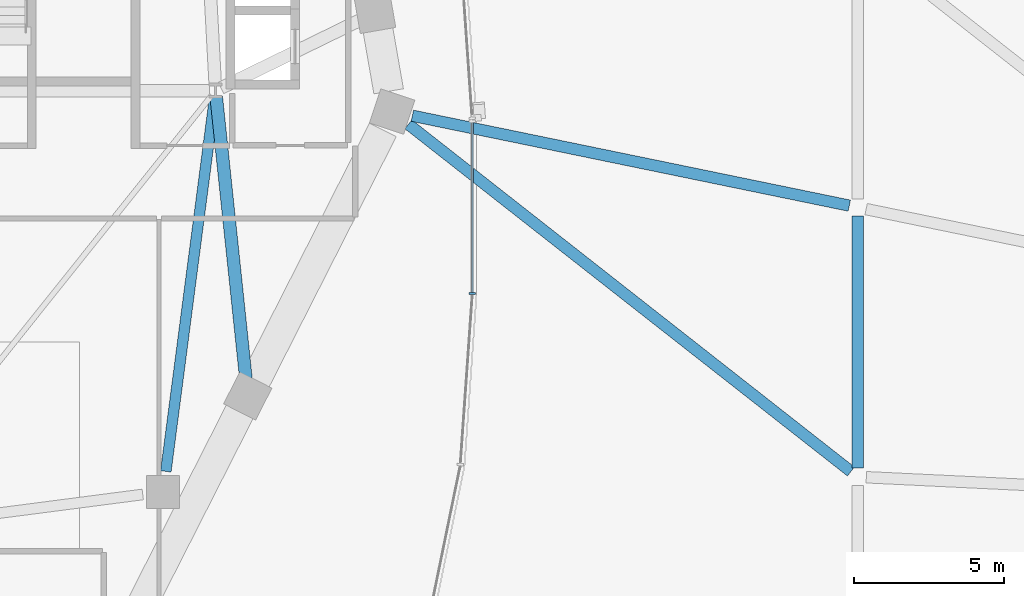
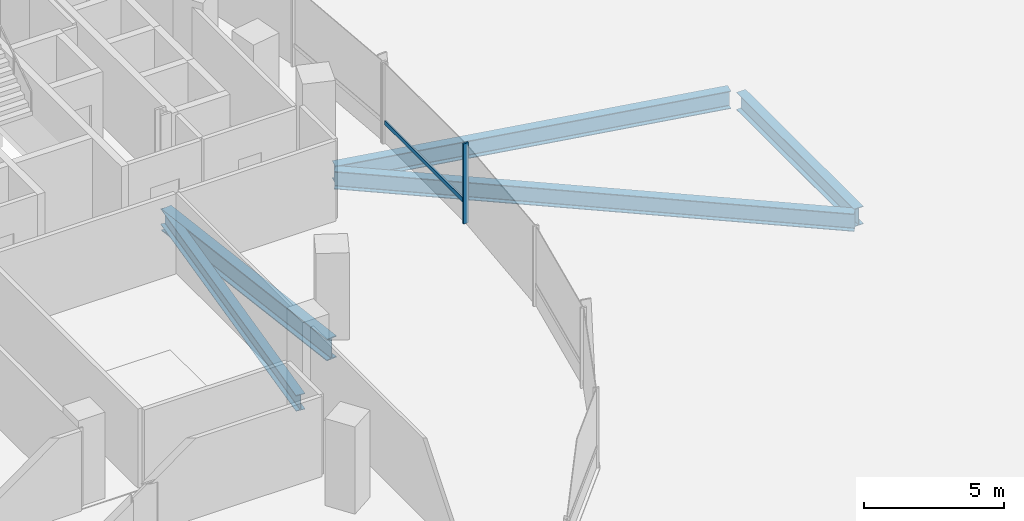
# One storey, part 5 of 28: 5 beams, 2 members, 1 element without a shape of its own.
"""IFC4 building model written with IfcOpenShell, lengths in metres."""

from ifc_helpers import new_model, si_unit, direction, frame, origin, origin_2d, place, context, subcontext, project, spatial, rectangle, i_section, extrude, material, material_profile, profile_set, type_object, element, aggregate, save


model = new_model("IFC4")

# Units and contexts
model_context = context("Model", 3, precision=1e-05, world=origin(), true_north=direction((0.0, 1.0)))
body_context = subcontext(model_context, "Body", "Model", "MODEL_VIEW")
ifc_project = project(units=[si_unit("LENGTHUNIT", "METRE"), si_unit("AREAUNIT", "SQUARE_METRE"), si_unit("VOLUMEUNIT", "CUBIC_METRE"), si_unit("PLANEANGLEUNIT", "RADIAN"), si_unit("MASSUNIT", "GRAM", prefix="KILO"), si_unit("THERMODYNAMICTEMPERATUREUNIT", "KELVIN"), si_unit("POWERUNIT", "WATT")], contexts=[model_context])

# Site, building, storey
site_placement = place(None, origin())
site = spatial("IfcSite", under=ifc_project, at=site_placement, CompositionType="ELEMENT")
building_placement = place(site_placement, origin())
building = spatial("IfcBuilding", under=site, at=building_placement, Name="Cundina Bronze Exchange", CompositionType="ELEMENT")
storey_placement = place(building_placement, frame((0.0, 0.0, 24.0)))
storey = spatial("IfcBuildingStorey", under=building, at=storey_placement, Name="L05", CompositionType="ELEMENT", Elevation=24.0)

# Beams
ifc_material_1 = material(Name="Steel ASTM A992 Grade 50", Category="steel")
ifc_material_profile_1 = material_profile(ifc_material_1, i_section(OverallWidth=0.35498046875, OverallDepth=0.695068359375, WebThickness=0.015380859375, FlangeThickness=0.02490234375, FilletRadius=0.01806640625, at=origin_2d()), Name="W27X146", Category="steel")
ifc_profile_set_1 = profile_set([ifc_material_profile_1], Name="Steel ASTM A992 Grade 50")
beam_type_1 = type_object("IfcBeamType", Name="BM-RING-W27", PredefinedType="USERDEFINED", material=ifc_profile_set_1)
beam_1_placement = place(storey_placement, frame((-23.11083984375, -8.81787109375, -0.6474609375), z_axis=(0.129498776905, 0.991579581668, 0.0), x_axis=(-0.991579581668, 0.129498776905, 0.0)))
element("IfcBeam", 1, at=beam_1_placement, inside=storey, type_object=beam_type_1, Name="L05 W Inner Structural Ring Girder 07", ObjectType="GIRDER", PredefinedType="USERDEFINED", context=body_context, shape_type="SweptSolid", body=[
    extrude(i_section(OverallWidth=0.35498046875, OverallDepth=0.695068359375, WebThickness=0.015380859375, FlangeThickness=0.02490234375, FilletRadius=0.01806640625, at=origin_2d()), origin(), (0.0, 0.0, 1.0), 12.621826171875),
])
ifc_material_profile_2 = material_profile(ifc_material_1, i_section(OverallWidth=0.381103515625, OverallDepth=0.77294921875, WebThickness=0.0166015625, FlangeThickness=0.027099609375, FilletRadius=0.01904296875, at=origin_2d()), Name="W30X173", Category="steel")
ifc_profile_set_2 = profile_set([ifc_material_profile_2], Name="Steel ASTM A992 Grade 50")
beam_type_2 = type_object("IfcBeamType", Name="BM-RING-W30", PredefinedType="USERDEFINED", material=ifc_profile_set_2)
beam_2_placement = place(storey_placement, frame((0.0, -8.7119140625, -0.69140625), z_axis=(0.0, 1.0, 0.0), x_axis=(-1.0, 0.0, 0.0)))
element("IfcBeam", 2, at=beam_2_placement, inside=storey, type_object=beam_type_2, Name="L05 Concourse Spine Longitudinal Girder 02", ObjectType="GIRDER", PredefinedType="USERDEFINED", context=body_context, shape_type="SweptSolid", body=[
    extrude(i_section(OverallWidth=0.381103515625, OverallDepth=0.77294921875, WebThickness=0.0166015625, FlangeThickness=0.027099609375, FilletRadius=0.01904296875, at=origin_2d()), origin(), (0.0, 0.0, 1.0), 8.423828125),
])
beam_3_placement = place(storey_placement, frame((-15.0087890625, 2.775390625, -0.69140625), z_axis=(0.786756409396, -0.617263600316, 0.0), x_axis=(0.617263600316, 0.786756409396, 0.0)))
element("IfcBeam", 3, at=beam_3_placement, inside=storey, type_object=beam_type_2, Name="L05 Concourse West Span Girder 02", ObjectType="GIRDER", PredefinedType="USERDEFINED", context=body_context, shape_type="SweptSolid", body=[
    extrude(i_section(OverallWidth=0.381103515625, OverallDepth=0.77294921875, WebThickness=0.0166015625, FlangeThickness=0.027099609375, FilletRadius=0.01904296875, at=origin_2d()), origin(), (0.0, 0.0, 1.0), 18.788818359375),
])
beam_4_placement = place(storey_placement, frame((-14.876220703125, 3.061279296875, -0.69140625), z_axis=(0.979477217361, -0.201554907336, 0.0), x_axis=(0.201554907336, 0.979477217361, 0.0)))
element("IfcBeam", 4, at=beam_4_placement, inside=storey, type_object=beam_type_2, Name="L05 Concourse West Span Girder 03", ObjectType="GIRDER", PredefinedType="USERDEFINED", context=body_context, shape_type="SweptSolid", body=[
    extrude(i_section(OverallWidth=0.381103515625, OverallDepth=0.77294921875, WebThickness=0.0166015625, FlangeThickness=0.027099609375, FilletRadius=0.01904296875, at=origin_2d()), origin(), (0.0, 0.0, 1.0), 14.900146484375),
])
ifc_material_profile_3 = material_profile(ifc_material_1, i_section(OverallWidth=0.423095703125, OverallDepth=0.947998046875, WebThickness=0.02392578125, FlangeThickness=0.042724609375, FilletRadius=0.02392578125, at=origin_2d()), Name="W36X302", Category="steel")
ifc_profile_set_3 = profile_set([ifc_material_profile_3], Name="Steel ASTM A992 Grade 50")
beam_type_3 = type_object("IfcBeamType", Name="BM-WRN-W36A", PredefinedType="USERDEFINED", material=ifc_profile_set_3)
beam_5_placement = place(storey_placement, frame((-21.4287109375, 3.697021484375, -0.77392578125), z_axis=(0.104821321264, -0.994491071156, 0.0), x_axis=(0.994491071156, 0.104821321264, 0.0)))
element("IfcBeam", 5, at=beam_5_placement, inside=storey, type_object=beam_type_3, Name="L05 W Transfer Radial Tie Girder 13", ObjectType="GIRDER", PredefinedType="USERDEFINED", context=body_context, shape_type="SweptSolid", body=[
    extrude(i_section(OverallWidth=0.423095703125, OverallDepth=0.947998046875, WebThickness=0.02392578125, FlangeThickness=0.042724609375, FilletRadius=0.02392578125, at=origin_2d()), origin(), (0.0, 0.0, 1.0), 10.052490234375),
])

# Curtain wall, members
ifc_material_2 = material(Name="Anodised Bronze Aluminium 6063-T6", Category="aluminium")
curtain_wall_type = type_object("IfcCurtainWallType", Name="CWS-TRD-LOW", PredefinedType="NOTDEFINED", material=ifc_material_2)
curtain_wall_placement = place(storey_placement, origin())
curtain_wall = element("IfcCurtainWall", 6, at=curtain_wall_placement, inside=storey, type_object=curtain_wall_type, Name="L05 CW-02 Curtain Wall Run CWR-L05-W4", PredefinedType="NOTDEFINED")
ifc_material_profile_4 = material_profile(ifc_material_2, rectangle(XDim=0.074951171875, YDim=0.219970703125, at=origin_2d()), Name="AL75X220", Category="aluminium")
ifc_profile_set_4 = profile_set([ifc_material_profile_4], Name="Anodised Bronze Aluminium 6063-T6")
member_type_1 = type_object("IfcMemberType", Name="CWM-MUL-220", PredefinedType="MULLION", material=ifc_profile_set_4)
member_1_placement = place(storey_placement, frame((-12.8720703125, -2.880615234375, 0.0), z_axis=(0.0, 0.0, 1.0), x_axis=(0.0, 1.0, 0.0)))
member_1 = element("IfcMember", 7, at=member_1_placement, type_object=member_type_1, Name="CW-02 Mullion 7", PredefinedType="MULLION", context=body_context, shape_type="SweptSolid", body=[
    extrude(rectangle(XDim=0.074951171875, YDim=0.219970703125, at=origin_2d()), origin(), (0.0, 0.0, 1.0), 3.5),
])
ifc_material_profile_5 = material_profile(ifc_material_2, rectangle(XDim=0.070068359375, YDim=0.179931640625, at=origin_2d()), Name="AL70X180", Category="aluminium")
ifc_profile_set_5 = profile_set([ifc_material_profile_5], Name="Anodised Bronze Aluminium 6063-T6")
member_type_2 = type_object("IfcMemberType", Name="CWM-TRN-180", PredefinedType="USERDEFINED", material=ifc_profile_set_5)
member_2_placement = place(storey_placement, frame((-12.8720703125, -2.839111328125, 0.919921875), z_axis=(0.0, 1.0, 0.0), x_axis=(-1.0, 0.0, 0.0)))
member_2 = element("IfcMember", 8, at=member_2_placement, type_object=member_type_2, Name="CW-02 Spandrel Transom 7", ObjectType="TRANSOM", PredefinedType="USERDEFINED", context=body_context, shape_type="SweptSolid", body=[
    extrude(rectangle(XDim=0.070068359375, YDim=0.179931640625, at=origin_2d()), origin(), (0.0, 0.0, 1.0), 5.67822265625),
])
aggregate(curtain_wall, [member_1, member_2])

save(model, "model.ifc")
